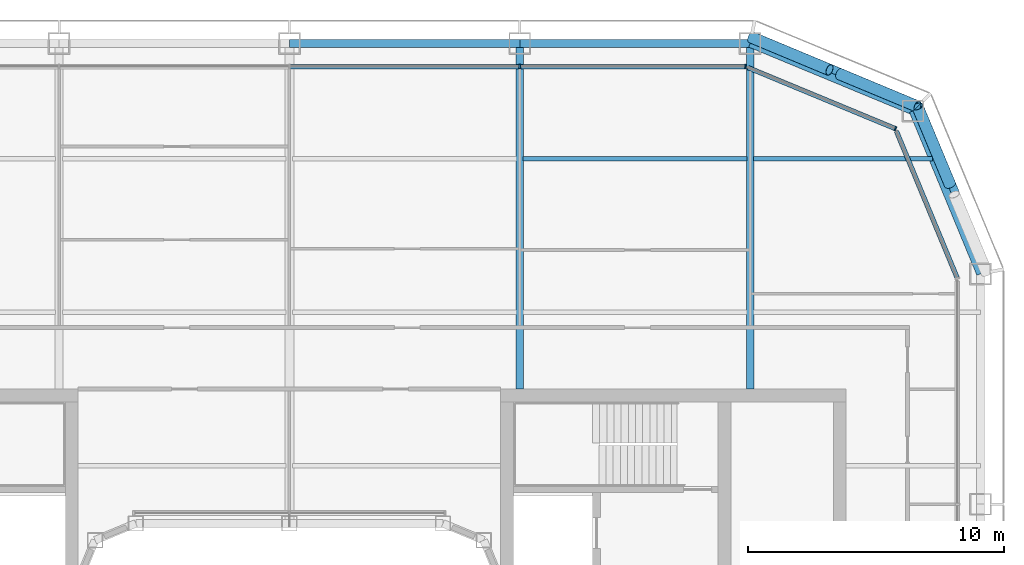
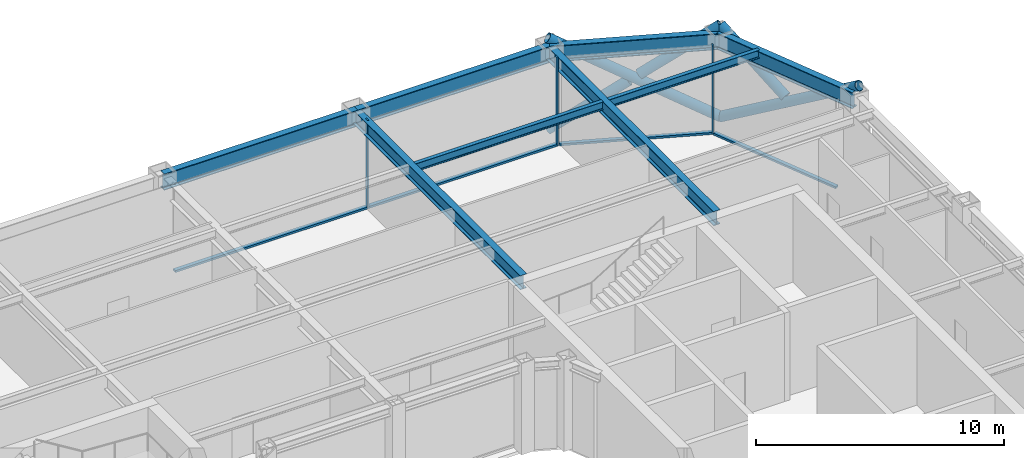
# One storey, part 10 of 19: 12 members, 8 beams, 3 elements without a shape of their own.
"""IFC4 building model written with IfcOpenShell, lengths in metres."""

from ifc_helpers import new_model, si_unit, direction, frame, origin, origin_2d, place, context, subcontext, project, spatial, rectangle, hollow_circle, i_section, extrude, material, layer, layer_set, material_profile, profile_set, type_object, element, aggregate, save


model = new_model("IFC4")

# Units and contexts
model_context = context("Model", 3, precision=1e-05, world=origin(), true_north=direction((0.0, 1.0)))
body_context = subcontext(model_context, "Body", "Model", "MODEL_VIEW")
ifc_project = project(units=[si_unit("LENGTHUNIT", "METRE"), si_unit("AREAUNIT", "SQUARE_METRE"), si_unit("VOLUMEUNIT", "CUBIC_METRE"), si_unit("PLANEANGLEUNIT", "RADIAN"), si_unit("MASSUNIT", "GRAM", prefix="KILO")], contexts=[model_context])

# Site, building, storey
site_placement = place(None, origin())
site = spatial("IfcSite", under=ifc_project, at=site_placement, CompositionType="ELEMENT")
building_placement = place(site_placement, origin())
building = spatial("IfcBuilding", under=site, at=building_placement, Name="Siwar Civic Tower", CompositionType="ELEMENT")
storey_placement = place(building_placement, frame((0.0, 0.0, 210.699951171875)))
storey = spatial("IfcBuildingStorey", under=building, at=storey_placement, Name="L45", CompositionType="ELEMENT", Elevation=210.699951171875)

# Curtain wall, member
ifc_material_1 = material(Name="Aluminium clad insulated panel", Category="aluminium")
ifc_layer_1 = layer(ifc_material_1, 0.179931640625)
ifc_layer_set_1 = layer_set([ifc_layer_1], Name="Aluminium clad insulated panel")
curtain_wall_type_1 = type_object("IfcCurtainWallType", Name="ENV-CW-CX", PredefinedType="NOTDEFINED", material=ifc_layer_set_1)
curtain_wall_1_placement = place(storey_placement, origin())
curtain_wall_1 = element("IfcCurtainWall", 1, at=curtain_wall_1_placement, inside=storey, type_object=curtain_wall_type_1, Name="Curtain wall C NE2", PredefinedType="NOTDEFINED")
ifc_material_2 = material(Name="Aluminium 6063-T6", Category="aluminium")
ifc_material_profile_1 = material_profile(ifc_material_2, rectangle(XDim=0.179931640625, YDim=0.06005859375, at=origin_2d()), Name="AL 180x60")
ifc_profile_set_1 = profile_set([ifc_material_profile_1], Name="Aluminium 6063-T6")
member_type_1 = type_object("IfcMemberType", Name="ENV-MULLION-C", PredefinedType="MULLION", material=ifc_profile_set_1)
member_1_placement = place(storey_placement, frame((23.675048828125, 23.675048828125, 0.0), z_axis=(0.0, 0.0, 1.0), x_axis=(-0.382683432365, -0.923879532511, 0.0)))
member_1 = element("IfcMember", 2, at=member_1_placement, type_object=member_type_1, Name="Mullion C NE2 1", PredefinedType="MULLION", context=body_context, shape_type="SweptSolid", body=[
    extrude(rectangle(XDim=0.179931640625, YDim=0.06005859375, at=origin_2d()), origin(), (0.0, 0.0, 1.0), 4.35009765625),
])

# Curtain wall, members
ifc_material_3 = material(Name="Aluminium and glass", Category="aluminium")
ifc_layer_2 = layer(ifc_material_3, 0.179931640625)
ifc_layer_set_2 = layer_set([ifc_layer_2], Name="Aluminium and glass")
curtain_wall_type_2 = type_object("IfcCurtainWallType", Name="ENV-CW-C", PredefinedType="NOTDEFINED", material=ifc_layer_set_2)
curtain_wall_2_placement = place(storey_placement, origin())
curtain_wall_2 = element("IfcCurtainWall", 3, at=curtain_wall_2_placement, inside=storey, type_object=curtain_wall_type_2, Name="Curtain wall C N", PredefinedType="NOTDEFINED")
member_2_placement = place(storey_placement, frame((17.821044921875, 26.10009765625, 0.0), z_axis=(0.0, 0.0, 1.0), x_axis=(0.0, -1.0, 0.0)))
member_2 = element("IfcMember", 4, at=member_2_placement, type_object=member_type_1, Name="Mullion C N 1", PredefinedType="MULLION", context=body_context, shape_type="SweptSolid", body=[
    extrude(rectangle(XDim=0.179931640625, YDim=0.06005859375, at=origin_2d()), origin(), (0.0, 0.0, 1.0), 4.35009765625),
])
member_3_placement = place(storey_placement, frame((9.0, 26.10009765625, 0.0), z_axis=(0.0, 0.0, 1.0), x_axis=(0.0, -1.0, 0.0)))
member_3 = element("IfcMember", 5, at=member_3_placement, type_object=member_type_1, Name="Mullion C N 2", PredefinedType="MULLION", context=body_context, shape_type="SweptSolid", body=[
    extrude(rectangle(XDim=0.179931640625, YDim=0.06005859375, at=origin_2d()), origin(), (0.0, 0.0, 1.0), 4.35009765625),
])

# Curtain wall, member
curtain_wall_3_placement = place(storey_placement, origin())
curtain_wall_3 = element("IfcCurtainWall", 6, at=curtain_wall_3_placement, inside=storey, type_object=curtain_wall_type_1, Name="Curtain wall C NE1", PredefinedType="NOTDEFINED")
ifc_material_4 = material(Name="Aluminium 6063-T6", Category="aluminium")
ifc_material_profile_2 = material_profile(ifc_material_4, rectangle(XDim=0.179931640625, YDim=0.10009765625, at=origin_2d()), Name="AL 180x100")
ifc_profile_set_2 = profile_set([ifc_material_profile_2], Name="Aluminium 6063-T6")
member_type_2 = type_object("IfcMemberType", Name="ENV-TRANSOM-C", PredefinedType="USERDEFINED", material=ifc_profile_set_2)
member_4_placement = place(storey_placement, frame((26.088623046875, 17.8486328125, 0.050048828125), z_axis=(-0.38267744817, 0.923882011223, 0.0), x_axis=(-0.923882011223, -0.38267744817, 0.0)))
member_4 = element("IfcMember", 7, at=member_4_placement, type_object=member_type_2, Name="Transom C NE1 1", ObjectType="TRANSOM", PredefinedType="USERDEFINED", context=body_context, shape_type="SweptSolid", body=[
    extrude(rectangle(XDim=0.179931640625, YDim=0.10009765625, at=origin_2d()), origin(), (0.0, 0.0, 1.0), 6.201904296875),
])
aggregate(curtain_wall_3, [member_4])

# Member
member_5_placement = place(storey_placement, frame((23.6474609375, 23.6865234375, 0.050048828125), z_axis=(-0.923876246063, 0.382691366456, 0.0), x_axis=(-0.382691366456, -0.923876246063, 0.0)))
member_5 = element("IfcMember", 8, at=member_5_placement, type_object=member_type_2, Name="Transom C NE2 1", ObjectType="TRANSOM", PredefinedType="USERDEFINED", context=body_context, shape_type="SweptSolid", body=[
    extrude(rectangle(XDim=0.179931640625, YDim=0.10009765625, at=origin_2d()), origin(), (0.0, 0.0, 1.0), 6.20166015625),
])

aggregate(curtain_wall_1, [member_1, member_5])

member_6_placement = place(storey_placement, frame((17.791015625, 26.10009765625, 0.050048828125), z_axis=(-1.0, 0.0, 0.0), x_axis=(0.0, -1.0, 0.0)))
member_6 = element("IfcMember", 9, at=member_6_placement, type_object=member_type_2, Name="Transom C N 1", ObjectType="TRANSOM", PredefinedType="USERDEFINED", context=body_context, shape_type="SweptSolid", body=[
    extrude(rectangle(XDim=0.179931640625, YDim=0.10009765625, at=origin_2d()), origin(), (0.0, 0.0, 1.0), 8.760986328125),
])

member_7_placement = place(storey_placement, frame((8.969970703125, 26.10009765625, 0.050048828125), z_axis=(-1.0, 0.0, 0.0), x_axis=(0.0, -1.0, 0.0)))
member_7 = element("IfcMember", 10, at=member_7_placement, type_object=member_type_2, Name="Transom C N 2", ObjectType="TRANSOM", PredefinedType="USERDEFINED", context=body_context, shape_type="SweptSolid", body=[
    extrude(rectangle(XDim=0.179931640625, YDim=0.10009765625, at=origin_2d()), origin(), (0.0, 0.0, 1.0), 8.93994140625),
])

aggregate(curtain_wall_2, [member_2, member_3, member_6, member_7])

# Members
ifc_material_5 = material(Name="Steel S355", Category="steel")
ifc_material_profile_3 = material_profile(ifc_material_5, hollow_circle(Radius=0.228515625, WallThickness=0.02001953125, at=origin_2d()), Name="CHS457x20")
ifc_profile_set_3 = profile_set([ifc_material_profile_3], Name="Steel S355")
member_type_3 = type_object("IfcMemberType", Name="STR-BR-CHS457x20", PredefinedType="BRACE", material=ifc_profile_set_3)
member_8_placement = place(storey_placement, frame((24.540771484375, 24.540771484375, 0.0), z_axis=(-0.777554562952, 0.323905527954, 0.538975055633), x_axis=(-0.384538969033, -0.923108759191, 0.0)))
element("IfcMember", 11, at=member_8_placement, inside=storey, type_object=member_type_3, Name="L45/brc/CNE1-5-0-1", PredefinedType="BRACE", context=body_context, shape_type="SweptSolid", body=[
    extrude(hollow_circle(Radius=0.228515625, WallThickness=0.02001953125, at=origin_2d()), origin(), (0.0, 0.0, 1.0), 8.34912109375),
])
for number, where, z_axis, x_axis, name in (
    (12, (18.048828125, 27.2451171875, 0.0), (0.777546448489, -0.323884455881, 0.538999424564), (0.38452107079, 0.92311621485, 0.0), "L45/brc/CNE1-5-0-2"),
    (13, (21.486572265625, 25.81298828125, 2.383056640625), (0.777572496853, -0.323895306243, 0.538955325357), (0.38452107079, 0.92311621485, 0.0), "L45/brc/CNE1-5-0-3"),
):
    element("IfcMember", number, at=place(storey_placement, frame(where, z_axis=z_axis, x_axis=x_axis)), inside=storey, type_object=member_type_3, Name=name, PredefinedType="BRACE", context=body_context, shape_type="SweptSolid", body=[
        extrude(hollow_circle(Radius=0.228515625, WallThickness=0.02001953125, at=origin_2d()), origin(), (0.0, 0.0, 1.0), 3.927978515625),
    ])
member_9_placement = place(storey_placement, frame((24.540771484375, 24.540771484375, 0.0), z_axis=(0.323905527954, -0.777554562952, 0.538975055633), x_axis=(0.923108759191, 0.384538969033, 0.0)))
element("IfcMember", 14, at=member_9_placement, inside=storey, type_object=member_type_3, Name="L45/brc/CNE1-5-0-0", PredefinedType="BRACE", context=body_context, shape_type="SweptSolid", body=[
    extrude(hollow_circle(Radius=0.228515625, WallThickness=0.02001953125, at=origin_2d()), origin(), (0.0, 0.0, 1.0), 8.34912109375),
])
member_10_placement = place(storey_placement, frame((25.81298828125, 21.486572265625, 2.383056640625), z_axis=(-0.323895306243, 0.777572496853, 0.538955325357), x_axis=(-0.92311621485, -0.38452107079, 0.0)))
element("IfcMember", 15, at=member_10_placement, inside=storey, type_object=member_type_3, Name="L45/brc/CNE1-5-0-5", PredefinedType="BRACE", context=body_context, shape_type="SweptSolid", body=[
    extrude(hollow_circle(Radius=0.228515625, WallThickness=0.02001953125, at=origin_2d()), origin(), (0.0, 0.0, 1.0), 3.927978515625),
])

# Beams
ifc_material_6 = material(Name="Steel S355", Category="steel")
ifc_material_profile_4 = material_profile(ifc_material_6, i_section(OverallWidth=0.179931640625, OverallDepth=0.39990234375, WebThickness=0.008544921875, FlangeThickness=0.013427734375, FilletRadius=0.02099609375, at=origin_2d()), Name="IPE400")
ifc_profile_set_4 = profile_set([ifc_material_profile_4], Name="Steel S355")
beam_type_1 = type_object("IfcBeamType", Name="STR-FB-IPE400", PredefinedType="JOIST", material=ifc_profile_set_4)
beam_1_placement = place(storey_placement, frame((9.1298828125, 22.5, 4.150146484375), z_axis=(1.0, 0.0, 0.0), x_axis=(0.0, 1.0, 0.0)))
element("IfcBeam", 16, at=beam_1_placement, inside=storey, type_object=beam_type_1, Name="L45/bm/F041", PredefinedType="JOIST", context=body_context, shape_type="SweptSolid", body=[
    extrude(i_section(OverallWidth=0.179931640625, OverallDepth=0.39990234375, WebThickness=0.008544921875, FlangeThickness=0.013427734375, FilletRadius=0.02099609375, at=origin_2d()), origin(), (0.0, 0.0, 1.0), 8.740234375),
])
beam_2_placement = place(storey_placement, frame((18.1298828125, 22.5, 4.150146484375), z_axis=(1.0, 0.0, 0.0), x_axis=(0.0, 1.0, 0.0)))
element("IfcBeam", 17, at=beam_2_placement, inside=storey, type_object=beam_type_1, Name="L45/bm/F042", PredefinedType="JOIST", context=body_context, shape_type="SweptSolid", body=[
    extrude(i_section(OverallWidth=0.179931640625, OverallDepth=0.39990234375, WebThickness=0.008544921875, FlangeThickness=0.013427734375, FilletRadius=0.02099609375, at=origin_2d()), origin(), (0.0, 0.0, 1.0), 7.006103515625),
])
ifc_material_7 = material(Name="Steel S355", Category="steel")
ifc_material_profile_5 = material_profile(ifc_material_7, i_section(OverallWidth=0.300048828125, OverallDepth=0.699951171875, WebThickness=0.01708984375, FlangeThickness=0.031982421875, FilletRadius=0.027099609375, at=origin_2d()), Name="HEB700")
ifc_profile_set_5 = profile_set([ifc_material_profile_5], Name="Steel S355")
beam_type_2 = type_object("IfcBeamType", Name="STR-PG-HEB700", PredefinedType="BEAM", material=ifc_profile_set_5)
for number, where, z_axis, x_axis, name in (
    (18, (9.0, 13.5, 4.0), (0.0, 1.0, 0.0), (-1.0, 0.0, 0.0), "L45/bm/G08"),
    (19, (18.0, 13.5, 4.0), (0.0, 1.0, 0.0), (-1.0, 0.0, 0.0), "L45/bm/G10"),
):
    element("IfcBeam", number, at=place(storey_placement, frame(where, z_axis=z_axis, x_axis=x_axis)), inside=storey, type_object=beam_type_2, Name=name, PredefinedType="BEAM", context=body_context, shape_type="SweptSolid", body=[
        extrude(i_section(OverallWidth=0.300048828125, OverallDepth=0.699951171875, WebThickness=0.01708984375, FlangeThickness=0.031982421875, FilletRadius=0.027099609375, at=origin_2d()), origin(), (0.0, 0.0, 1.0), 13.5),
    ])
ifc_material_8 = material(Name="Steel S355", Category="steel")
ifc_material_profile_6 = material_profile(ifc_material_8, i_section(OverallWidth=0.300048828125, OverallDepth=0.800048828125, WebThickness=0.017578125, FlangeThickness=0.032958984375, FilletRadius=0.030029296875, at=origin_2d()), Name="HEB800")
ifc_profile_set_6 = profile_set([ifc_material_profile_6], Name="Steel S355")
beam_type_3 = type_object("IfcBeamType", Name="STR-SB-HEB800", PredefinedType="BEAM", material=ifc_profile_set_6)
for number, where, z_axis, x_axis, name in (
    (20, (27.0, 18.0, 3.949951171875), (-0.382674207535, 0.923883353507, 0.0), (-0.923883353507, -0.382674207535, 0.0), "L45/bm/SNE1-0"),
    (21, (24.364013671875, 24.364013671875, 3.949951171875), (-0.923883353507, 0.382674207535, 0.0), (-0.382674207535, -0.923883353507, 0.0), "L45/bm/SNE2-0"),
):
    element("IfcBeam", number, at=place(storey_placement, frame(where, z_axis=z_axis, x_axis=x_axis)), inside=storey, type_object=beam_type_3, Name=name, PredefinedType="BEAM", context=body_context, shape_type="SweptSolid", body=[
        extrude(i_section(OverallWidth=0.300048828125, OverallDepth=0.800048828125, WebThickness=0.017578125, FlangeThickness=0.032958984375, FilletRadius=0.030029296875, at=origin_2d()), origin(), (0.0, 0.0, 1.0), 6.888427734375),
    ])
for number, where, z_axis, x_axis, name in (
    (22, (18.0, 27.0, 3.949951171875), (-1.0, 0.0, 0.0), (0.0, -1.0, 0.0), "L45/bm/SN-0"),
    (23, (9.0, 27.0, 3.949951171875), (-1.0, 0.0, 0.0), (0.0, -1.0, 0.0), "L45/bm/SN-1"),
):
    element("IfcBeam", number, at=place(storey_placement, frame(where, z_axis=z_axis, x_axis=x_axis)), inside=storey, type_object=beam_type_3, Name=name, PredefinedType="BEAM", context=body_context, shape_type="SweptSolid", body=[
        extrude(i_section(OverallWidth=0.300048828125, OverallDepth=0.800048828125, WebThickness=0.017578125, FlangeThickness=0.032958984375, FilletRadius=0.030029296875, at=origin_2d()), origin(), (0.0, 0.0, 1.0), 9.0),
    ])

save(model, "model.ifc")
